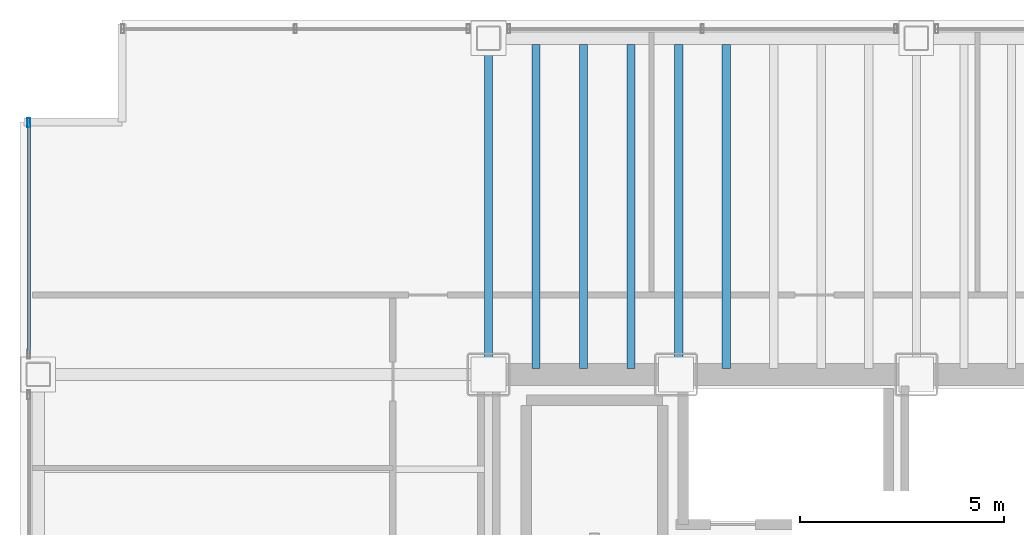
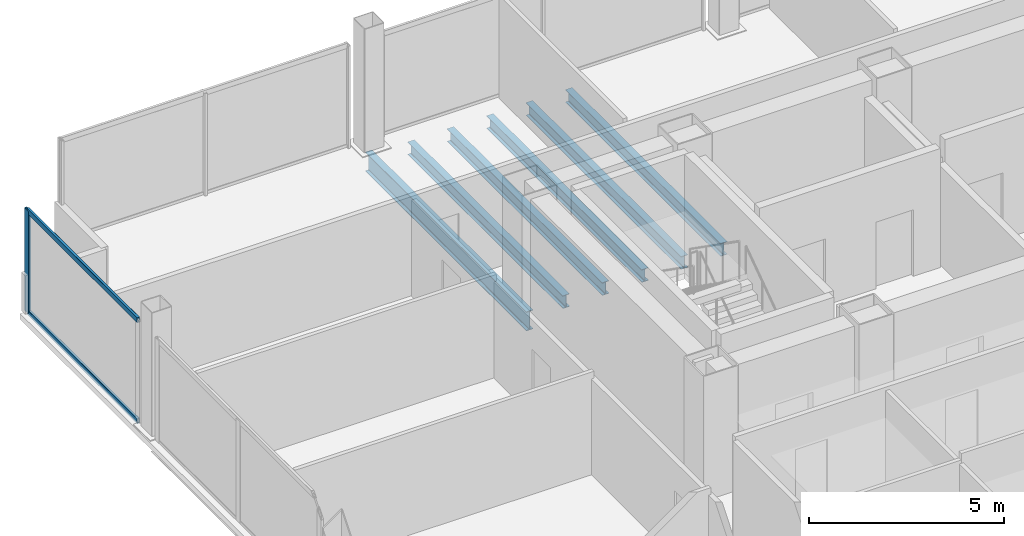
# One storey, part 7 of 21: 6 beams, 3 members, 1 element without a shape of its own.
"""IFC4 building model written with IfcOpenShell, lengths in metres."""

from ifc_helpers import new_model, si_unit, direction, frame, origin, origin_2d, place, context, subcontext, project, spatial, hollow_rectangle, i_section, extrude, material, material_profile, profile_set, type_object, element, aggregate, save


model = new_model("IFC4")

# Units and contexts
model_context = context("Model", 3, precision=1e-05, world=origin(), true_north=direction((0.0, 1.0)))
body_context = subcontext(model_context, "Body", "Model", "MODEL_VIEW")
ifc_project = project(units=[si_unit("LENGTHUNIT", "METRE"), si_unit("AREAUNIT", "SQUARE_METRE"), si_unit("VOLUMEUNIT", "CUBIC_METRE"), si_unit("PLANEANGLEUNIT", "RADIAN"), si_unit("MASSUNIT", "GRAM", prefix="KILO")], contexts=[model_context])

# Site, building, storey
site_placement = place(None, origin())
site = spatial("IfcSite", under=ifc_project, at=site_placement, CompositionType="ELEMENT")
building_placement = place(site_placement, origin())
building = spatial("IfcBuilding", under=site, at=building_placement, Name="Noeulbin Bourse Tower", CompositionType="ELEMENT")
storey_placement = place(building_placement, frame((0.0, 0.0, 30.39990234375)))
storey = spatial("IfcBuildingStorey", under=building, at=storey_placement, Name="L07", CompositionType="ELEMENT", Elevation=30.39990234375)

# Beams
ifc_material_1 = material(Name="Steel S355", Category="steel")
ifc_material_profile_1 = material_profile(ifc_material_1, i_section(OverallWidth=0.199951171875, OverallDepth=0.60009765625, WebThickness=0.010986328125, FlangeThickness=0.01708984375, FilletRadius=0.02197265625, at=origin_2d()), Name="H-600x200x11x17", Category="LoadBearing")
ifc_profile_set_1 = profile_set([ifc_material_profile_1], Name="Steel S355")
beam_type_1 = type_object("IfcBeamType", Name="BM-GRD-600", PredefinedType="USERDEFINED", material=ifc_profile_set_1)
beam_placement = place(storey_placement, frame((13.5, 38.300048828125, -0.47998046875), z_axis=(0.0, 1.0, 0.0), x_axis=(-1.0, 0.0, 0.0)))
element("IfcBeam", 1, at=beam_placement, inside=storey, type_object=beam_type_1, Name="Tower Primary Girder NS L07-1.4", ObjectType="GIRDER", PredefinedType="USERDEFINED", context=body_context, shape_type="SweptSolid", body=[
    extrude(i_section(OverallWidth=0.199951171875, OverallDepth=0.60009765625, WebThickness=0.010986328125, FlangeThickness=0.01708984375, FilletRadius=0.02197265625, at=origin_2d()), origin(), (0.0, 0.0, 1.0), 8.25),
])
ifc_material_profile_2 = material_profile(ifc_material_1, i_section(OverallWidth=0.199951171875, OverallDepth=0.39990234375, WebThickness=0.008056640625, FlangeThickness=0.012939453125, FilletRadius=0.01611328125, at=origin_2d()), Name="H-400x200x8x13", Category="LoadBearing")
ifc_profile_set_2 = profile_set([ifc_material_profile_2], Name="Steel S355")
beam_type_2 = type_object("IfcBeamType", Name="BM-SEC-400", PredefinedType="BEAM", material=ifc_profile_set_2)
for number, where, z_axis, x_axis, name in (
    (2, (14.666748046875, 38.449951171875, -0.3798828125), (0.0, 1.0, 0.0), (-1.0, 0.0, 0.0), "Tower Composite Joist L07-03"),
    (3, (15.833251953125, 38.449951171875, -0.3798828125), (0.0, 1.0, 0.0), (-1.0, 0.0, 0.0), "Tower Composite Joist L07-06"),
    (4, (17.0, 38.449951171875, -0.3798828125), (0.0, 1.0, 0.0), (-1.0, 0.0, 0.0), "Tower Composite Joist L07-09"),
    (5, (18.166748046875, 38.449951171875, -0.3798828125), (0.0, 1.0, 0.0), (-1.0, 0.0, 0.0), "Tower Composite Joist L07-11"),
    (6, (19.333251953125, 38.449951171875, -0.3798828125), (0.0, 1.0, 0.0), (-1.0, 0.0, 0.0), "Tower Composite Joist L07-14"),
):
    element("IfcBeam", number, at=place(storey_placement, frame(where, z_axis=z_axis, x_axis=x_axis)), inside=storey, type_object=beam_type_2, Name=name, PredefinedType="BEAM", context=body_context, shape_type="SweptSolid", body=[
        extrude(i_section(OverallWidth=0.199951171875, OverallDepth=0.39990234375, WebThickness=0.008056640625, FlangeThickness=0.012939453125, FilletRadius=0.01611328125, at=origin_2d()), origin(), (0.0, 0.0, 1.0), 7.949951171875),
    ])

# Curtain wall, members
ifc_material_2 = material(Name="Dark Solar-Control Double Glazing", Category="glass")
curtain_wall_type = type_object("IfcCurtainWallType", Name="CW-SYS-2", PredefinedType="NOTDEFINED", material=ifc_material_2)
curtain_wall_placement = place(storey_placement, origin())
curtain_wall = element("IfcCurtainWall", 7, at=curtain_wall_placement, inside=storey, type_object=curtain_wall_type, Name="Unitised Curtain Wall CW-L07-W-S4", PredefinedType="NOTDEFINED")
ifc_material_3 = material(Name="Anodised Aluminium 6063-T6", Category="aluminium")
ifc_material_profile_3 = material_profile(ifc_material_3, hollow_rectangle(XDim=0.074951171875, YDim=0.219970703125, WallThickness=0.0048828125, InnerFilletRadius=0.00244140625, OuterFilletRadius=0.0048828125, at=origin_2d()), Name="ALU-MULL-75x220x5", Category="LoadBearing")
ifc_profile_set_3 = profile_set([ifc_material_profile_3], Name="Anodised Aluminium 6063-T6")
member_type_1 = type_object("IfcMemberType", Name="CW-SYS-2-MUL", PredefinedType="MULLION", material=ifc_profile_set_3)
member_1_placement = place(storey_placement, frame((2.219970703125, 44.47998046875, -0.02001953125), z_axis=(0.0, 0.0, 1.0), x_axis=(1.0, 0.0, 0.0)))
member_1 = element("IfcMember", 8, at=member_1_placement, type_object=member_type_1, Name="Curtain Wall Mullion CW-L07-W-S4-M01", PredefinedType="MULLION", context=body_context, shape_type="SweptSolid", body=[
    extrude(hollow_rectangle(XDim=0.074951171875, YDim=0.219970703125, WallThickness=0.0048828125, InnerFilletRadius=0.00244140625, OuterFilletRadius=0.0048828125, at=origin_2d()), origin(), (0.0, 0.0, 1.0), 3.22021484375),
])
ifc_material_profile_4 = material_profile(ifc_material_3, hollow_rectangle(XDim=0.074951171875, YDim=0.159912109375, WallThickness=0.0048828125, InnerFilletRadius=0.00244140625, OuterFilletRadius=0.0048828125, at=origin_2d()), Name="ALU-TRAN-75x160x5", Category="LoadBearing")
ifc_profile_set_4 = profile_set([ifc_material_profile_4], Name="Anodised Aluminium 6063-T6")
member_type_2 = type_object("IfcMemberType", Name="CW-SYS-2-TRN", PredefinedType="USERDEFINED", material=ifc_profile_set_4)
member_2_placement = place(storey_placement, frame((2.219970703125, 38.81005859375, 0.010009765625), z_axis=(0.0, 1.0, 0.0), x_axis=(-1.0, 0.0, 0.0)))
member_2 = element("IfcMember", 9, at=member_2_placement, type_object=member_type_2, Name="Curtain Wall Transom CW-L07-W-S4-T00", ObjectType="TRANSOM", PredefinedType="USERDEFINED", context=body_context, shape_type="SweptSolid", body=[
    extrude(hollow_rectangle(XDim=0.074951171875, YDim=0.159912109375, WallThickness=0.0048828125, InnerFilletRadius=0.00244140625, OuterFilletRadius=0.0048828125, at=origin_2d()), origin(), (0.0, 0.0, 1.0), 5.659912109375),
])
member_3_placement = place(storey_placement, frame((2.219970703125, 38.81005859375, 3.170166015625), z_axis=(0.0, 1.0, 0.0), x_axis=(-1.0, 0.0, 0.0)))
member_3 = element("IfcMember", 10, at=member_3_placement, type_object=member_type_2, Name="Curtain Wall Transom CW-L07-W-S4-T01", ObjectType="TRANSOM", PredefinedType="USERDEFINED", context=body_context, shape_type="SweptSolid", body=[
    extrude(hollow_rectangle(XDim=0.074951171875, YDim=0.159912109375, WallThickness=0.0048828125, InnerFilletRadius=0.00244140625, OuterFilletRadius=0.0048828125, at=origin_2d()), origin(), (0.0, 0.0, 1.0), 5.659912109375),
])
aggregate(curtain_wall, [member_1, member_2, member_3])

save(model, "model.ifc")
